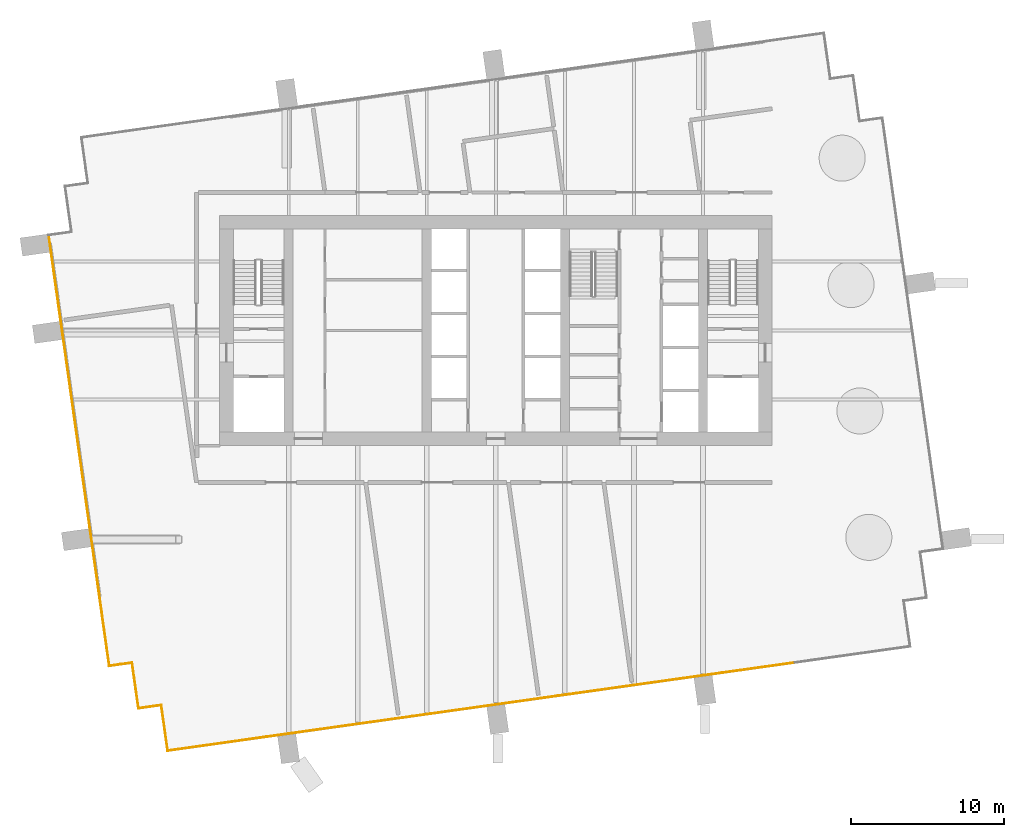
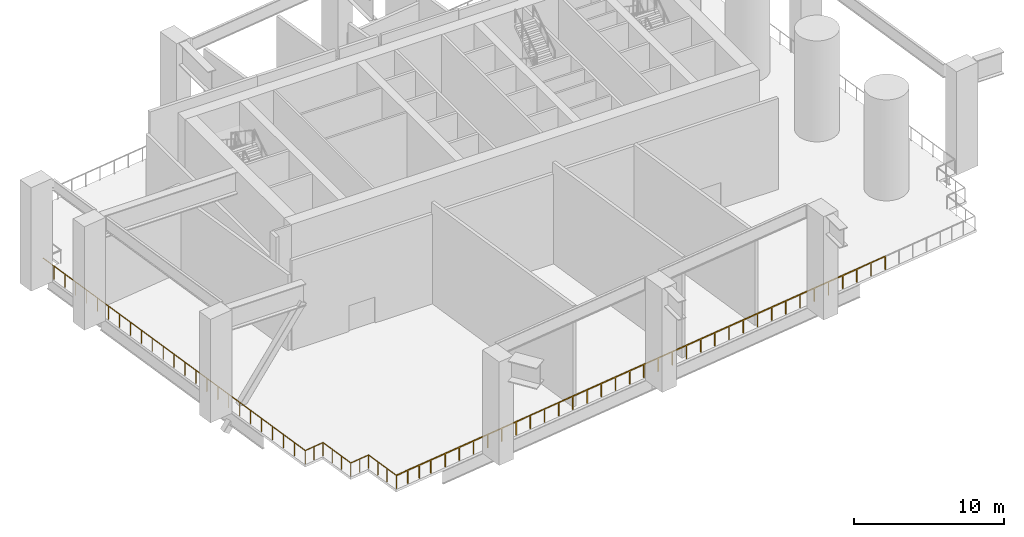
# One storey, part 6 of 13: 6 railings.
"""IFC4 building model written with IfcOpenShell, lengths in metres."""

from ifc_helpers import new_model, si_unit, direction, frame, origin, origin_2d, place, context, subcontext, project, spatial, rectangle, extrude, material, type_object, element, save


model = new_model("IFC4")

# Units and contexts
model_context = context("Model", 3, precision=1e-05, world=origin(), true_north=direction((0.0, 1.0)))
body_context = subcontext(model_context, "Body", "Model", "MODEL_VIEW")
ifc_project = project(units=[si_unit("LENGTHUNIT", "METRE"), si_unit("AREAUNIT", "SQUARE_METRE"), si_unit("VOLUMEUNIT", "CUBIC_METRE"), si_unit("PLANEANGLEUNIT", "RADIAN"), si_unit("MASSUNIT", "GRAM", prefix="KILO")], contexts=[model_context])

# Site, building, storey
site_placement = place(None, origin())
site = spatial("IfcSite", under=ifc_project, at=site_placement, CompositionType="ELEMENT")
building_placement = place(site_placement, origin())
building = spatial("IfcBuilding", under=site, at=building_placement, Name="Rattan Terrace Tower", CompositionType="ELEMENT")
storey_placement = place(building_placement, frame((0.0, 0.0, 199.699951171875)))
storey = spatial("IfcBuildingStorey", under=building, at=storey_placement, Name="L46", CompositionType="ELEMENT", Elevation=199.699951171875)

# Railings
ifc_material = material(Name="Stainless steel 316", Category="steel")
railing_type = type_object("IfcRailingType", Name="Facade Guard 1100", PredefinedType="GUARDRAIL", material=ifc_material)
railing_1_placement = place(storey_placement, frame((19.5, -21.6279296875, 0.0)))
element("IfcRailing", 1, at=railing_1_placement, inside=storey, type_object=railing_type, Name="Guard L46-1-1", PredefinedType="GUARDRAIL", context=body_context, shape_type="SweptSolid", body=[
    extrude(rectangle(XDim=0.048095703125, YDim=0.048095703125, at=origin_2d()), frame((0.0, 0.0, 1.076171875), z_axis=(-0.990268616238, -0.139169205268, 0.0), x_axis=(0.139169205268, -0.990268616238, 0.0)), (0.0, 0.0, 1.0), 38.357177734375),
    extrude(rectangle(XDim=0.048095703125, YDim=0.048095703125, at=origin_2d()), frame((-37.98388671875, -5.338134765625, 1.076171875), z_axis=(-0.990236749674, -0.139395766062, 0.0), x_axis=(0.139395766062, -0.990236749674, 0.0)), (0.0, 0.0, 1.0), 2.919677734375),
    extrude(rectangle(XDim=0.0419921875, YDim=0.0419921875, at=origin_2d()), origin(), (0.0, 0.0, 1.0), 1.052001953125),
    extrude(rectangle(XDim=0.0419921875, YDim=0.0419921875, at=origin_2d()), frame((-1.18701171875, -0.166748046875, 0.0)), (0.0, 0.0, 1.0), 1.052001953125),
    extrude(rectangle(XDim=0.0419921875, YDim=0.0419921875, at=origin_2d()), frame((-2.3740234375, -0.333740234375, 0.0)), (0.0, 0.0, 1.0), 1.052001953125),
    extrude(rectangle(XDim=0.0419921875, YDim=0.0419921875, at=origin_2d()), frame((-3.56103515625, -0.50048828125, 0.0)), (0.0, 0.0, 1.0), 1.052001953125),
    extrude(rectangle(XDim=0.0419921875, YDim=0.0419921875, at=origin_2d()), frame((-4.748046875, -0.667236328125, 0.0)), (0.0, 0.0, 1.0), 1.052001953125),
    extrude(rectangle(XDim=0.0419921875, YDim=0.0419921875, at=origin_2d()), frame((-5.93505859375, -0.833984375, 0.0)), (0.0, 0.0, 1.0), 1.052001953125),
    extrude(rectangle(XDim=0.0419921875, YDim=0.0419921875, at=origin_2d()), frame((-7.1220703125, -1.0009765625, 0.0)), (0.0, 0.0, 1.0), 1.052001953125),
    extrude(rectangle(XDim=0.0419921875, YDim=0.0419921875, at=origin_2d()), frame((-8.30908203125, -1.167724609375, 0.0)), (0.0, 0.0, 1.0), 1.052001953125),
    extrude(rectangle(XDim=0.0419921875, YDim=0.0419921875, at=origin_2d()), frame((-9.49609375, -1.33447265625, 0.0)), (0.0, 0.0, 1.0), 1.052001953125),
    extrude(rectangle(XDim=0.0419921875, YDim=0.0419921875, at=origin_2d()), frame((-10.682861328125, -1.50146484375, 0.0)), (0.0, 0.0, 1.0), 1.052001953125),
    extrude(rectangle(XDim=0.0419921875, YDim=0.0419921875, at=origin_2d()), frame((-11.869873046875, -1.668212890625, 0.0)), (0.0, 0.0, 1.0), 1.052001953125),
    extrude(rectangle(XDim=0.0419921875, YDim=0.0419921875, at=origin_2d()), frame((-13.056884765625, -1.8349609375, 0.0)), (0.0, 0.0, 1.0), 1.052001953125),
    extrude(rectangle(XDim=0.0419921875, YDim=0.0419921875, at=origin_2d()), frame((-14.243896484375, -2.001708984375, 0.0)), (0.0, 0.0, 1.0), 1.052001953125),
    extrude(rectangle(XDim=0.0419921875, YDim=0.0419921875, at=origin_2d()), frame((-15.430908203125, -2.168701171875, 0.0)), (0.0, 0.0, 1.0), 1.052001953125),
    extrude(rectangle(XDim=0.0419921875, YDim=0.0419921875, at=origin_2d()), frame((-16.617919921875, -2.33544921875, 0.0)), (0.0, 0.0, 1.0), 1.052001953125),
    extrude(rectangle(XDim=0.0419921875, YDim=0.0419921875, at=origin_2d()), frame((-17.804931640625, -2.502197265625, 0.0)), (0.0, 0.0, 1.0), 1.052001953125),
    extrude(rectangle(XDim=0.0419921875, YDim=0.0419921875, at=origin_2d()), frame((-18.991943359375, -2.6689453125, 0.0)), (0.0, 0.0, 1.0), 1.052001953125),
    extrude(rectangle(XDim=0.0419921875, YDim=0.0419921875, at=origin_2d()), frame((-20.178955078125, -2.8359375, 0.0)), (0.0, 0.0, 1.0), 1.052001953125),
    extrude(rectangle(XDim=0.0419921875, YDim=0.0419921875, at=origin_2d()), frame((-21.365966796875, -3.002685546875, 0.0)), (0.0, 0.0, 1.0), 1.052001953125),
    extrude(rectangle(XDim=0.0419921875, YDim=0.0419921875, at=origin_2d()), frame((-22.552978515625, -3.16943359375, 0.0)), (0.0, 0.0, 1.0), 1.052001953125),
    extrude(rectangle(XDim=0.0419921875, YDim=0.0419921875, at=origin_2d()), frame((-23.739990234375, -3.33642578125, 0.0)), (0.0, 0.0, 1.0), 1.052001953125),
    extrude(rectangle(XDim=0.0419921875, YDim=0.0419921875, at=origin_2d()), frame((-24.927001953125, -3.503173828125, 0.0)), (0.0, 0.0, 1.0), 1.052001953125),
    extrude(rectangle(XDim=0.0419921875, YDim=0.0419921875, at=origin_2d()), frame((-26.114013671875, -3.669921875, 0.0)), (0.0, 0.0, 1.0), 1.052001953125),
    extrude(rectangle(XDim=0.0419921875, YDim=0.0419921875, at=origin_2d()), frame((-27.301025390625, -3.836669921875, 0.0)), (0.0, 0.0, 1.0), 1.052001953125),
    extrude(rectangle(XDim=0.0419921875, YDim=0.0419921875, at=origin_2d()), frame((-28.48779296875, -4.003662109375, 0.0)), (0.0, 0.0, 1.0), 1.052001953125),
    extrude(rectangle(XDim=0.0419921875, YDim=0.0419921875, at=origin_2d()), frame((-29.6748046875, -4.17041015625, 0.0)), (0.0, 0.0, 1.0), 1.052001953125),
    extrude(rectangle(XDim=0.0419921875, YDim=0.0419921875, at=origin_2d()), frame((-30.86181640625, -4.337158203125, 0.0)), (0.0, 0.0, 1.0), 1.052001953125),
    extrude(rectangle(XDim=0.0419921875, YDim=0.0419921875, at=origin_2d()), frame((-32.048828125, -4.504150390625, 0.0)), (0.0, 0.0, 1.0), 1.052001953125),
    extrude(rectangle(XDim=0.0419921875, YDim=0.0419921875, at=origin_2d()), frame((-33.23583984375, -4.6708984375, 0.0)), (0.0, 0.0, 1.0), 1.052001953125),
    extrude(rectangle(XDim=0.0419921875, YDim=0.0419921875, at=origin_2d()), frame((-34.4228515625, -4.837646484375, 0.0)), (0.0, 0.0, 1.0), 1.052001953125),
    extrude(rectangle(XDim=0.0419921875, YDim=0.0419921875, at=origin_2d()), frame((-35.60986328125, -5.00439453125, 0.0)), (0.0, 0.0, 1.0), 1.052001953125),
    extrude(rectangle(XDim=0.0419921875, YDim=0.0419921875, at=origin_2d()), frame((-36.796875, -5.17138671875, 0.0)), (0.0, 0.0, 1.0), 1.052001953125),
    extrude(rectangle(XDim=0.0419921875, YDim=0.0419921875, at=origin_2d()), frame((-37.98388671875, -5.338134765625, 0.0)), (0.0, 0.0, 1.0), 1.052001953125),
    extrude(rectangle(XDim=0.0419921875, YDim=0.0419921875, at=origin_2d()), frame((-38.947509765625, -5.473876953125, 0.0)), (0.0, 0.0, 1.0), 1.052001953125),
    extrude(rectangle(XDim=0.0419921875, YDim=0.0419921875, at=origin_2d()), frame((-39.911376953125, -5.609375, 0.0)), (0.0, 0.0, 1.0), 1.052001953125),
])
railing_2_placement = place(storey_placement, frame((-21.375, -27.373046875, 0.0)))
element("IfcRailing", 2, at=railing_2_placement, inside=storey, type_object=railing_type, Name="Guard L46-1-2", PredefinedType="GUARDRAIL", context=body_context, shape_type="SweptSolid", body=[
    extrude(rectangle(XDim=0.048095703125, YDim=0.048095703125, at=origin_2d()), frame((0.0, 0.0, 1.076171875), z_axis=(-0.139313431826, 0.990248336385, 0.0), x_axis=(-0.990248336385, -0.139313431826, 0.0)), (0.0, 0.0, 1.0), 3.000244140625),
    extrude(rectangle(XDim=0.0419921875, YDim=0.0419921875, at=origin_2d()), origin(), (0.0, 0.0, 1.0), 1.052001953125),
    extrude(rectangle(XDim=0.0419921875, YDim=0.0419921875, at=origin_2d()), frame((-0.139404296875, 0.990234375, 0.0)), (0.0, 0.0, 1.0), 1.052001953125),
    extrude(rectangle(XDim=0.0419921875, YDim=0.0419921875, at=origin_2d()), frame((-0.278564453125, 1.980712890625, 0.0)), (0.0, 0.0, 1.0), 1.052001953125),
])
railing_3_placement = place(storey_placement, frame((-21.79296875, -24.402099609375, 0.0)))
element("IfcRailing", 3, at=railing_3_placement, inside=storey, type_object=railing_type, Name="Guard L46-1-3", PredefinedType="GUARDRAIL", context=body_context, shape_type="SweptSolid", body=[
    extrude(rectangle(XDim=0.048095703125, YDim=0.048095703125, at=origin_2d()), frame((0.0, 0.0, 1.076171875), z_axis=(-0.990243596651, -0.13934711799, 0.0), x_axis=(0.13934711799, -0.990243596651, 0.0)), (0.0, 0.0, 1.0), 1.499755859375),
    extrude(rectangle(XDim=0.0419921875, YDim=0.0419921875, at=origin_2d()), origin(), (0.0, 0.0, 1.0), 1.052001953125),
    extrude(rectangle(XDim=0.0419921875, YDim=0.0419921875, at=origin_2d()), frame((-0.74267578125, -0.1044921875, 0.0)), (0.0, 0.0, 1.0), 1.052001953125),
])
railing_4_placement = place(storey_placement, frame((-23.278076171875, -24.611083984375, 0.0)))
element("IfcRailing", 4, at=railing_4_placement, inside=storey, type_object=railing_type, Name="Guard L46-1-4", PredefinedType="GUARDRAIL", context=body_context, shape_type="SweptSolid", body=[
    extrude(rectangle(XDim=0.048095703125, YDim=0.048095703125, at=origin_2d()), frame((0.0, 0.0, 1.076171875), z_axis=(-0.139302206688, 0.990249915532, 0.0), x_axis=(-0.990249915532, -0.139302206688, 0.0)), (0.0, 0.0, 1.0), 3.00048828125),
    extrude(rectangle(XDim=0.0419921875, YDim=0.0419921875, at=origin_2d()), origin(), (0.0, 0.0, 1.0), 1.052001953125),
    extrude(rectangle(XDim=0.0419921875, YDim=0.0419921875, at=origin_2d()), frame((-0.139404296875, 0.990478515625, 0.0)), (0.0, 0.0, 1.0), 1.052001953125),
    extrude(rectangle(XDim=0.0419921875, YDim=0.0419921875, at=origin_2d()), frame((-0.278564453125, 1.980712890625, 0.0)), (0.0, 0.0, 1.0), 1.052001953125),
])
railing_5_placement = place(storey_placement, frame((-23.696044921875, -21.639892578125, 0.0)))
element("IfcRailing", 5, at=railing_5_placement, inside=storey, type_object=railing_type, Name="Guard L46-1-5", PredefinedType="GUARDRAIL", context=body_context, shape_type="SweptSolid", body=[
    extrude(rectangle(XDim=0.048095703125, YDim=0.048095703125, at=origin_2d()), frame((0.0, 0.0, 1.076171875), z_axis=(-0.990217952567, -0.139529231396, 0.0), x_axis=(0.139529231396, -0.990217952567, 0.0)), (0.0, 0.0, 1.0), 1.49951171875),
    extrude(rectangle(XDim=0.0419921875, YDim=0.0419921875, at=origin_2d()), origin(), (0.0, 0.0, 1.0), 1.052001953125),
    extrude(rectangle(XDim=0.0419921875, YDim=0.0419921875, at=origin_2d()), frame((-0.742431640625, -0.1044921875, 0.0)), (0.0, 0.0, 1.0), 1.052001953125),
])
railing_6_placement = place(storey_placement, frame((-25.180908203125, -21.84912109375, 0.0)))
element("IfcRailing", 6, at=railing_6_placement, inside=storey, type_object=railing_type, Name="Guard L46-1-6", PredefinedType="GUARDRAIL", context=body_context, shape_type="SweptSolid", body=[
    extrude(rectangle(XDim=0.048095703125, YDim=0.048095703125, at=origin_2d()), frame((0.0, 0.0, 1.076171875), z_axis=(-0.139199527658, 0.990264354352, 0.0), x_axis=(-0.990264354352, -0.139199527658, 0.0)), (0.0, 0.0, 1.0), 28.341064453125),
    extrude(rectangle(XDim=0.0419921875, YDim=0.0419921875, at=origin_2d()), origin(), (0.0, 0.0, 1.0), 1.052001953125),
    extrude(rectangle(XDim=0.0419921875, YDim=0.0419921875, at=origin_2d()), frame((-0.164306640625, 1.16943359375, 0.0)), (0.0, 0.0, 1.0), 1.052001953125),
    extrude(rectangle(XDim=0.0419921875, YDim=0.0419921875, at=origin_2d()), frame((-0.328857421875, 2.3388671875, 0.0)), (0.0, 0.0, 1.0), 1.052001953125),
    extrude(rectangle(XDim=0.0419921875, YDim=0.0419921875, at=origin_2d()), frame((-0.4931640625, 3.508056640625, 0.0)), (0.0, 0.0, 1.0), 1.052001953125),
    extrude(rectangle(XDim=0.0419921875, YDim=0.0419921875, at=origin_2d()), frame((-0.657470703125, 4.677490234375, 0.0)), (0.0, 0.0, 1.0), 1.052001953125),
    extrude(rectangle(XDim=0.0419921875, YDim=0.0419921875, at=origin_2d()), frame((-0.82177734375, 5.846923828125, 0.0)), (0.0, 0.0, 1.0), 1.052001953125),
    extrude(rectangle(XDim=0.0419921875, YDim=0.0419921875, at=origin_2d()), frame((-0.986328125, 7.016357421875, 0.0)), (0.0, 0.0, 1.0), 1.052001953125),
    extrude(rectangle(XDim=0.0419921875, YDim=0.0419921875, at=origin_2d()), frame((-1.150634765625, 8.185791015625, 0.0)), (0.0, 0.0, 1.0), 1.052001953125),
    extrude(rectangle(XDim=0.0419921875, YDim=0.0419921875, at=origin_2d()), frame((-1.31494140625, 9.35498046875, 0.0)), (0.0, 0.0, 1.0), 1.052001953125),
    extrude(rectangle(XDim=0.0419921875, YDim=0.0419921875, at=origin_2d()), frame((-1.4794921875, 10.5244140625, 0.0)), (0.0, 0.0, 1.0), 1.052001953125),
    extrude(rectangle(XDim=0.0419921875, YDim=0.0419921875, at=origin_2d()), frame((-1.643798828125, 11.69384765625, 0.0)), (0.0, 0.0, 1.0), 1.052001953125),
    extrude(rectangle(XDim=0.0419921875, YDim=0.0419921875, at=origin_2d()), frame((-1.80810546875, 12.86328125, 0.0)), (0.0, 0.0, 1.0), 1.052001953125),
    extrude(rectangle(XDim=0.0419921875, YDim=0.0419921875, at=origin_2d()), frame((-1.97265625, 14.03271484375, 0.0)), (0.0, 0.0, 1.0), 1.052001953125),
    extrude(rectangle(XDim=0.0419921875, YDim=0.0419921875, at=origin_2d()), frame((-2.136962890625, 15.201904296875, 0.0)), (0.0, 0.0, 1.0), 1.052001953125),
    extrude(rectangle(XDim=0.0419921875, YDim=0.0419921875, at=origin_2d()), frame((-2.30126953125, 16.371337890625, 0.0)), (0.0, 0.0, 1.0), 1.052001953125),
    extrude(rectangle(XDim=0.0419921875, YDim=0.0419921875, at=origin_2d()), frame((-2.465576171875, 17.540771484375, 0.0)), (0.0, 0.0, 1.0), 1.052001953125),
    extrude(rectangle(XDim=0.0419921875, YDim=0.0419921875, at=origin_2d()), frame((-2.630126953125, 18.710205078125, 0.0)), (0.0, 0.0, 1.0), 1.052001953125),
    extrude(rectangle(XDim=0.0419921875, YDim=0.0419921875, at=origin_2d()), frame((-2.79443359375, 19.87939453125, 0.0)), (0.0, 0.0, 1.0), 1.052001953125),
    extrude(rectangle(XDim=0.0419921875, YDim=0.0419921875, at=origin_2d()), frame((-2.958740234375, 21.048828125, 0.0)), (0.0, 0.0, 1.0), 1.052001953125),
    extrude(rectangle(XDim=0.0419921875, YDim=0.0419921875, at=origin_2d()), frame((-3.123291015625, 22.21826171875, 0.0)), (0.0, 0.0, 1.0), 1.052001953125),
    extrude(rectangle(XDim=0.0419921875, YDim=0.0419921875, at=origin_2d()), frame((-3.28759765625, 23.3876953125, 0.0)), (0.0, 0.0, 1.0), 1.052001953125),
    extrude(rectangle(XDim=0.0419921875, YDim=0.0419921875, at=origin_2d()), frame((-3.451904296875, 24.55712890625, 0.0)), (0.0, 0.0, 1.0), 1.052001953125),
    extrude(rectangle(XDim=0.0419921875, YDim=0.0419921875, at=origin_2d()), frame((-3.6162109375, 25.726318359375, 0.0)), (0.0, 0.0, 1.0), 1.052001953125),
    extrude(rectangle(XDim=0.0419921875, YDim=0.0419921875, at=origin_2d()), frame((-3.78076171875, 26.895751953125, 0.0)), (0.0, 0.0, 1.0), 1.052001953125),
])

save(model, "model.ifc")
